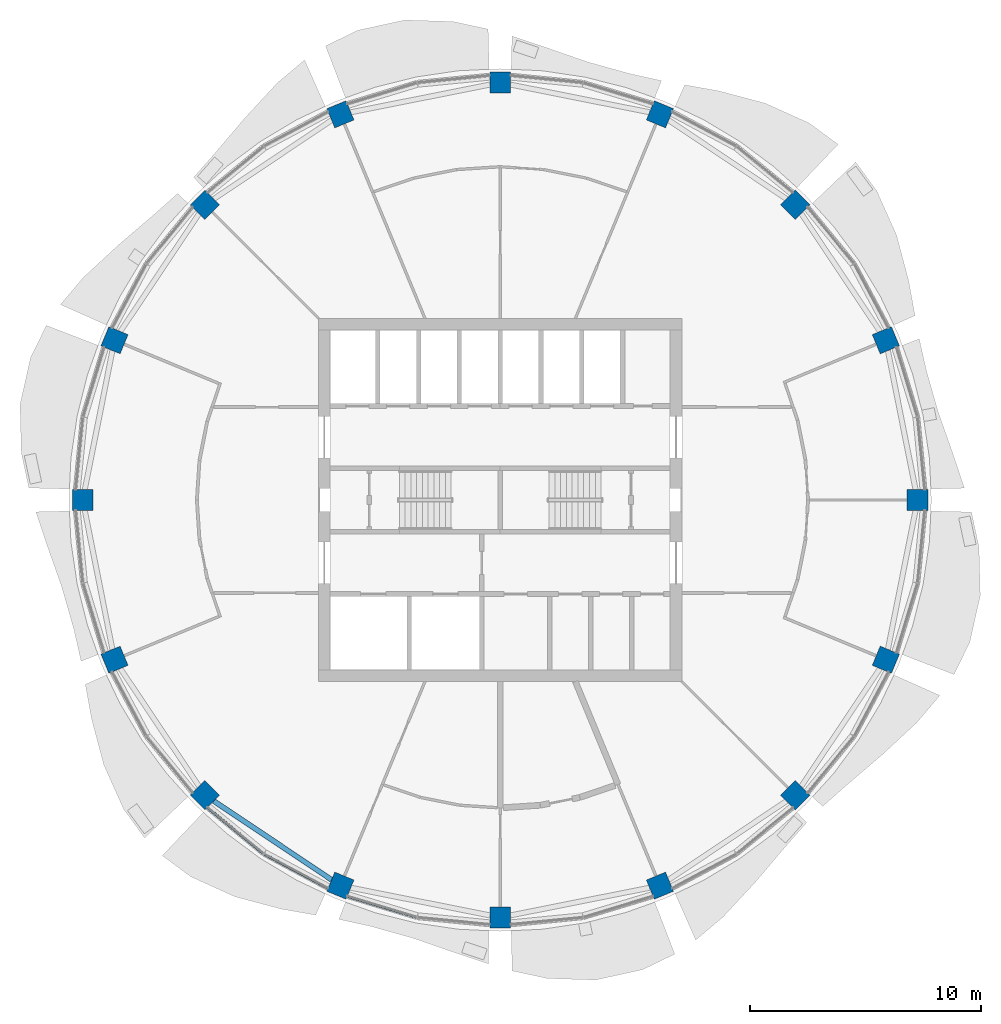
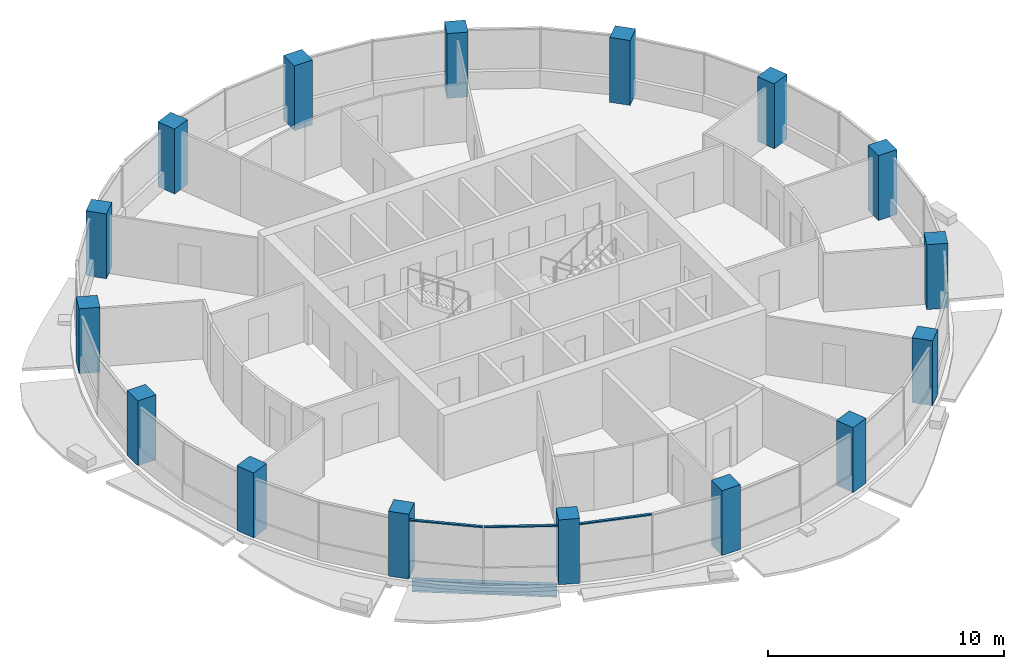
# One storey, part 1 of 15: 16 columns, 3 members, 1 beam, 2 elements without a shape of their own.
"""IFC4 building model written with IfcOpenShell, lengths in metres."""

from ifc_helpers import new_model, si_unit, direction, frame, origin, origin_2d, place, context, subcontext, project, spatial, rectangle, i_section, extrude, material, material_profile, profile_set, type_object, element, aggregate, save


model = new_model("IFC4")

# Units and contexts
model_context = context("Model", 3, precision=1e-05, world=origin(), true_north=direction((0.0, 1.0)))
body_context = subcontext(model_context, "Body", "Model", "MODEL_VIEW")
ifc_project = project(units=[si_unit("LENGTHUNIT", "METRE"), si_unit("AREAUNIT", "SQUARE_METRE"), si_unit("VOLUMEUNIT", "CUBIC_METRE"), si_unit("PLANEANGLEUNIT", "RADIAN"), si_unit("MASSUNIT", "GRAM", prefix="KILO")], contexts=[model_context])

# Site, building, storey
site_placement = place(None, origin())
site = spatial("IfcSite", under=ifc_project, at=site_placement, CompositionType="ELEMENT")
building_placement = place(site_placement, origin())
building = spatial("IfcBuilding", under=site, at=building_placement, Name="Polderwave Tower", CompositionType="ELEMENT")
storey_placement = place(building_placement, frame((0.0, 0.0, 170.89990234375)))
storey = spatial("IfcBuildingStorey", under=building, at=storey_placement, Name="L45", CompositionType="ELEMENT", Elevation=170.89990234375)

# Columns
ifc_material_1 = material(Name="Concrete C60/75", Category="concrete")
ifc_material_profile_1 = material_profile(ifc_material_1, rectangle(XDim=0.89990234375, YDim=0.89990234375, at=origin_2d()), Name="RC 900x900")
ifc_profile_set_1 = profile_set([ifc_material_profile_1], Name="Concrete C60/75")
column_type = type_object("IfcColumnType", Name="RC COLUMN 900x900 C60/75", PredefinedType="COLUMN", material=ifc_profile_set_1)
for number, where, z_axis, x_axis, name in (
    (1, (18.10009765625, 0.0, 0.0), (0.0, 0.0, 1.0), (1.0, 0.0, 0.0), "Ring column 01"),
    (2, (16.72216796875, 6.926513671875, 0.0), (0.0, 0.0, 1.0), (0.923879532511, 0.382683432365, 0.0), "Ring column 02"),
    (3, (12.798583984375, 12.798583984375, 0.0), (0.0, 0.0, 1.0), (0.707106781187, 0.707106781187, 0.0), "Ring column 03"),
    (4, (6.926513671875, 16.72216796875, 0.0), (0.0, 0.0, 1.0), (0.382683432365, 0.923879532511, 0.0), "Ring column 04"),
    (5, (0.0, 18.10009765625, 0.0), (0.0, 0.0, 1.0), (0.0, 1.0, 0.0), "Ring column 05"),
    (6, (-6.926513671875, 16.72216796875, 0.0), (0.0, 0.0, 1.0), (-0.382683432365, 0.923879532511, 0.0), "Ring column 06"),
    (7, (-12.798583984375, 12.798583984375, 0.0), (0.0, 0.0, 1.0), (-0.707106781187, 0.707106781187, 0.0), "Ring column 07"),
    (8, (-16.72216796875, 6.926513671875, 0.0), (0.0, 0.0, 1.0), (-0.923879532511, 0.382683432365, 0.0), "Ring column 08"),
    (9, (-18.10009765625, 0.0, 0.0), (0.0, 0.0, 1.0), (-1.0, 0.0, 0.0), "Ring column 09"),
    (10, (-16.72216796875, -6.926513671875, 0.0), (0.0, 0.0, 1.0), (-0.923879532511, -0.382683432365, 0.0), "Ring column 10"),
    (11, (-12.798583984375, -12.798583984375, 0.0), (0.0, 0.0, 1.0), (-0.707106781187, -0.707106781187, 0.0), "Ring column 11"),
    (12, (-6.926513671875, -16.72216796875, 0.0), (0.0, 0.0, 1.0), (-0.382683432365, -0.923879532511, 0.0), "Ring column 12"),
    (13, (0.0, -18.10009765625, 0.0), (0.0, 0.0, 1.0), (0.0, -1.0, 0.0), "Ring column 13"),
    (14, (6.926513671875, -16.72216796875, 0.0), (0.0, 0.0, 1.0), (0.382683432365, -0.923879532511, 0.0), "Ring column 14"),
    (15, (12.798583984375, -12.798583984375, 0.0), (0.0, 0.0, 1.0), (0.707106781187, -0.707106781187, 0.0), "Ring column 15"),
    (16, (16.72216796875, -6.926513671875, 0.0), (0.0, 0.0, 1.0), (0.923879532511, -0.382683432365, 0.0), "Ring column 16"),
):
    element("IfcColumn", number, at=place(storey_placement, frame(where, z_axis=z_axis, x_axis=x_axis)), inside=storey, type_object=column_type, Name=name, PredefinedType="COLUMN", context=body_context, shape_type="SweptSolid", body=[
        extrude(rectangle(XDim=0.89990234375, YDim=0.89990234375, at=origin_2d()), origin(), (0.0, 0.0, 1.0), 3.35009765625),
    ])

# Curtain wall, members
ifc_material_2 = material(Name="Aluminium 6063-T6 and glass", Category="aluminium")
curtain_wall_type = type_object("IfcCurtainWallType", Name="Office ribbon glazing wall", PredefinedType="NOTDEFINED", material=ifc_material_2)
curtain_wall_1_placement = place(storey_placement, origin())
curtain_wall_1 = element("IfcCurtainWall", 17, at=curtain_wall_1_placement, inside=storey, type_object=curtain_wall_type, Name="CW3 L45 10", PredefinedType="NOTDEFINED")
ifc_material_3 = material(Name="Aluminium 6063-T6", Category="aluminium")
ifc_material_profile_2 = material_profile(ifc_material_3, rectangle(XDim=0.1201171875, YDim=0.06005859375, at=origin_2d()), Name="AL 60x120")
ifc_profile_set_2 = profile_set([ifc_material_profile_2], Name="Aluminium 6063-T6")
member_type = type_object("IfcMemberType", Name="Office ribbon glazing transom 60x120", PredefinedType="USERDEFINED", material=ifc_profile_set_2)
member_1_placement = place(storey_placement, frame((-12.697021484375, -13.3330078125, 2.97021484375), z_axis=(0.773058696079, -0.634334495686, 0.0), x_axis=(0.634334495686, 0.773058696079, 0.0)))
member_1 = element("IfcMember", 18, at=member_1_placement, type_object=member_type, Name="CW3 transom 1", ObjectType="TRANSOM", PredefinedType="USERDEFINED", context=body_context, shape_type="SweptSolid", body=[
    extrude(rectangle(XDim=0.1201171875, YDim=0.06005859375, at=origin_2d()), origin(), (0.0, 0.0, 1.0), 3.137939453125),
])
member_2_placement = place(storey_placement, frame((-10.2255859375, -15.35400390625, 2.97021484375), z_axis=(0.882020915121, -0.471210255925, 0.0), x_axis=(0.471210255925, 0.882020915121, 0.0)))
member_2 = element("IfcMember", 19, at=member_2_placement, type_object=member_type, Name="CW3 transom 2", ObjectType="TRANSOM", PredefinedType="USERDEFINED", context=body_context, shape_type="SweptSolid", body=[
    extrude(rectangle(XDim=0.1201171875, YDim=0.06005859375, at=origin_2d()), origin(), (0.0, 0.0, 1.0), 3.13671875),
])
aggregate(curtain_wall_1, [member_1, member_2])

# Curtain wall, member
curtain_wall_2_placement = place(storey_placement, origin())
curtain_wall_2 = element("IfcCurtainWall", 20, at=curtain_wall_2_placement, inside=storey, type_object=curtain_wall_type, Name="CW3 L45 11", PredefinedType="NOTDEFINED")
member_3_placement = place(storey_placement, frame((-6.6279296875, -17.177001953125, 2.97021484375), z_axis=(0.957023749989, -0.29000955494, 0.0), x_axis=(0.29000955494, 0.957023749989, 0.0)))
member_3 = element("IfcMember", 21, at=member_3_placement, type_object=member_type, Name="CW3 transom 1", ObjectType="TRANSOM", PredefinedType="USERDEFINED", context=body_context, shape_type="SweptSolid", body=[
    extrude(rectangle(XDim=0.1201171875, YDim=0.06005859375, at=origin_2d()), origin(), (0.0, 0.0, 1.0), 3.137451171875),
])
aggregate(curtain_wall_2, [member_3])

# Beam
ifc_material_4 = material(Name="Steel S355", Category="steel")
ifc_material_profile_3 = material_profile(ifc_material_4, i_section(OverallWidth=0.219970703125, OverallDepth=0.60009765625, WebThickness=0.011962890625, FlangeThickness=0.01904296875, at=origin_2d()), Name="IPE 600")
ifc_profile_set_3 = profile_set([ifc_material_profile_3], Name="Steel S355")
beam_type = type_object("IfcBeamType", Name="RING BEAM IPE 600", PredefinedType="BEAM", material=ifc_profile_set_3)
beam_placement = place(storey_placement, frame((-12.417236328125, -13.053466796875, -0.64990234375), z_axis=(0.831469141634, -0.555570937424, 0.0), x_axis=(0.555570937424, 0.831469141634, 0.0)))
element("IfcBeam", 22, at=beam_placement, inside=storey, type_object=beam_type, Name="ST-RB-L45-10", PredefinedType="BEAM", context=body_context, shape_type="SweptSolid", body=[
    extrude(i_section(OverallWidth=0.219970703125, OverallDepth=0.60009765625, WebThickness=0.011962890625, FlangeThickness=0.01904296875, at=origin_2d()), origin(), (0.0, 0.0, 1.0), 6.144775390625),
])

save(model, "model.ifc")
